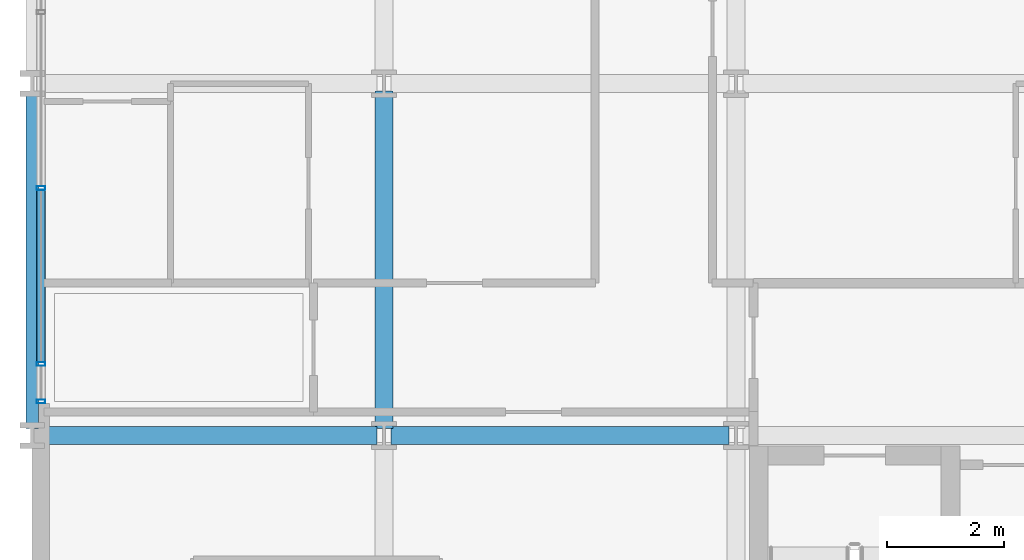
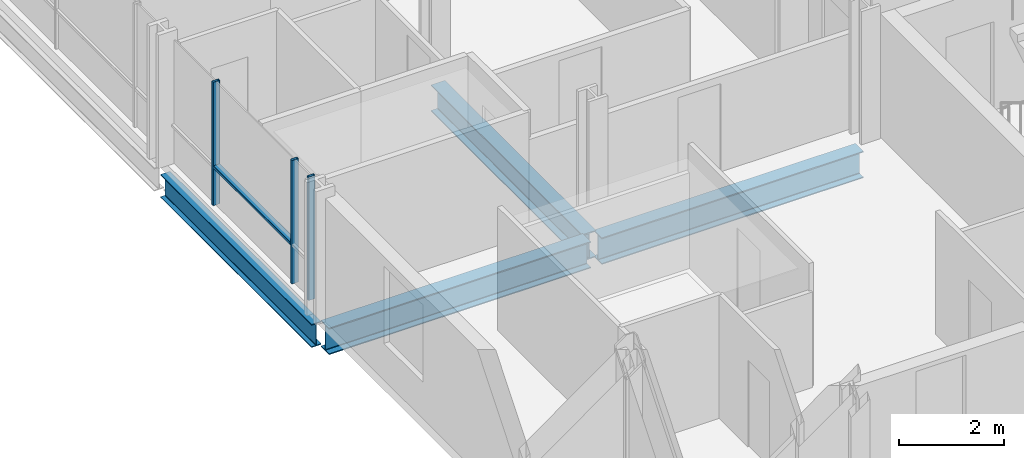
# One storey, part 2 of 41: 4 beams, 4 members, 1 element without a shape of its own.
"""IFC4 building model written with IfcOpenShell, lengths in metres."""

from ifc_helpers import new_model, si_unit, direction, frame, origin, origin_2d, place, context, subcontext, project, spatial, hollow_rectangle, i_section, extrude, material, layer, layer_set, material_profile, profile_set, type_object, element, aggregate, save


model = new_model("IFC4")

# Units and contexts
model_context = context("Model", 3, precision=1e-05, world=origin(), true_north=direction((0.0, 1.0)))
body_context = subcontext(model_context, "Body", "Model", "MODEL_VIEW")
ifc_project = project(units=[si_unit("LENGTHUNIT", "METRE"), si_unit("AREAUNIT", "SQUARE_METRE"), si_unit("VOLUMEUNIT", "CUBIC_METRE"), si_unit("PLANEANGLEUNIT", "RADIAN"), si_unit("MASSUNIT", "GRAM", prefix="KILO")], contexts=[model_context])

# Site, building, storey
site_placement = place(None, origin())
site = spatial("IfcSite", under=ifc_project, at=site_placement, CompositionType="ELEMENT")
building_placement = place(site_placement, origin())
building = spatial("IfcBuilding", under=site, at=building_placement, Name="Brevholm Reach", CompositionType="ELEMENT")
storey_placement = place(building_placement, frame((0.0, 0.0, 49.699951171875)))
storey = spatial("IfcBuildingStorey", under=building, at=storey_placement, Name="L13", CompositionType="ELEMENT", Elevation=49.699951171875)

# Beams
ifc_material_1 = material(Name="Structural Steel S355J2", Category="steel")
ifc_material_profile_1 = material_profile(ifc_material_1, i_section(OverallWidth=0.210693359375, OverallDepth=0.53955078125, WebThickness=0.01171875, FlangeThickness=0.018798828125, FilletRadius=0.0126953125, at=origin_2d()), Name="UKB 533x210x109")
ifc_profile_set_1 = profile_set([ifc_material_profile_1], Name="Structural Steel S355J2")
beam_type_1 = type_object("IfcBeamType", Name="BM-SP539", PredefinedType="SPANDREL", material=ifc_profile_set_1)
beam_placement = place(storey_placement, frame((0.0, 10.1201171875, -0.499755859375), z_axis=(0.0, 1.0, 0.0), x_axis=(-1.0, 0.0, 0.0)))
element("IfcBeam", 1, at=beam_placement, inside=storey, type_object=beam_type_1, Name="L13 SP-01B Framing Beam", PredefinedType="SPANDREL", context=body_context, shape_type="SweptSolid", body=[
    extrude(i_section(OverallWidth=0.210693359375, OverallDepth=0.53955078125, WebThickness=0.01171875, FlangeThickness=0.018798828125, FilletRadius=0.0126953125, at=origin_2d()), origin(), (0.0, 0.0, 1.0), 5.759765625),
])
ifc_material_2 = material(Name="Structural Steel S355J2", Category="steel")
ifc_material_profile_2 = material_profile(ifc_material_2, i_section(OverallWidth=0.30712890625, OverallDepth=0.6201171875, WebThickness=0.01416015625, FlangeThickness=0.023681640625, FilletRadius=0.0166015625, at=origin_2d()), Name="UKB 610x305x179")
ifc_profile_set_2 = profile_set([ifc_material_profile_2], Name="Structural Steel S355J2")
beam_type_2 = type_object("IfcBeamType", Name="BM-UKB610H", PredefinedType="USERDEFINED", material=ifc_profile_set_2)
for number, where, z_axis, x_axis, name in (
    (2, (0.1201171875, 10.0, -0.5400390625), (1.0, 0.0, 0.0), (0.0, 1.0, 0.0), "L13 G-06 Framing Beam"),
    (3, (6.1201171875, 10.0, -0.5400390625), (1.0, 0.0, 0.0), (0.0, 1.0, 0.0), "L13 G-06 Framing Beam"),
    (4, (6.0, 10.1201171875, -0.5400390625), (0.0, 1.0, 0.0), (-1.0, 0.0, 0.0), "L13 G-06 Framing Beam"),
):
    element("IfcBeam", number, at=place(storey_placement, frame(where, z_axis=z_axis, x_axis=x_axis)), inside=storey, type_object=beam_type_2, Name=name, ObjectType="GIRDER", PredefinedType="USERDEFINED", context=body_context, shape_type="SweptSolid", body=[
        extrude(i_section(OverallWidth=0.30712890625, OverallDepth=0.6201171875, WebThickness=0.01416015625, FlangeThickness=0.023681640625, FilletRadius=0.0166015625, at=origin_2d()), origin(), (0.0, 0.0, 1.0), 5.759765625),
    ])

# Curtain wall, members
ifc_material_3 = material(Name="Dark Anodised Aluminium 6063-T6 and Solar-Control Glass", Category="aluminium")
ifc_layer = layer(ifc_material_3, 0.14990234375)
ifc_layer_set = layer_set([ifc_layer], Name="Dark Anodised Aluminium 6063-T6 and Solar-Control Glass")
curtain_wall_type = type_object("IfcCurtainWallType", Name="CW-01", PredefinedType="NOTDEFINED", material=ifc_layer_set)
curtain_wall_placement = place(storey_placement, origin())
curtain_wall = element("IfcCurtainWall", 5, at=curtain_wall_placement, inside=storey, type_object=curtain_wall_type, Name="L13 Curtain Wall CW-01", PredefinedType="NOTDEFINED")
ifc_material_4 = material(Name="Dark Anodised Aluminium 6063-T6", Category="aluminium")
ifc_material_profile_3 = material_profile(ifc_material_4, hollow_rectangle(XDim=0.06494140625, YDim=0.14990234375, WallThickness=0.0048828125, InnerFilletRadius=0.0048828125, OuterFilletRadius=0.010009765625, at=origin_2d()), Name="RHS 150x65x5")
ifc_profile_set_3 = profile_set([ifc_material_profile_3], Name="Dark Anodised Aluminium 6063-T6")
member_type_1 = type_object("IfcMemberType", Name="CWM-150", PredefinedType="MULLION", material=ifc_profile_set_3)
member_1_placement = place(storey_placement, frame((0.14990234375, 14.219970703125, 0.0), z_axis=(0.0, 0.0, 1.0), x_axis=(0.0, -1.0, 0.0)))
member_1 = element("IfcMember", 6, at=member_1_placement, type_object=member_type_1, Name="CM-150 Mullion 4", PredefinedType="MULLION", context=body_context, shape_type="SweptSolid", body=[
    extrude(hollow_rectangle(XDim=0.06494140625, YDim=0.14990234375, WallThickness=0.0048828125, InnerFilletRadius=0.0048828125, OuterFilletRadius=0.010009765625, at=origin_2d()), origin(), (0.0, 0.0, 1.0), 2.8701171875),
])
member_2_placement = place(storey_placement, frame((0.14990234375, 11.219970703125, 0.0), z_axis=(0.0, 0.0, 1.0), x_axis=(0.0, -1.0, 0.0)))
member_2 = element("IfcMember", 7, at=member_2_placement, type_object=member_type_1, Name="CM-150 Mullion 5", PredefinedType="MULLION", context=body_context, shape_type="SweptSolid", body=[
    extrude(hollow_rectangle(XDim=0.06494140625, YDim=0.14990234375, WallThickness=0.0048828125, InnerFilletRadius=0.0048828125, OuterFilletRadius=0.010009765625, at=origin_2d()), origin(), (0.0, 0.0, 1.0), 2.8701171875),
])
member_3_placement = place(storey_placement, frame((0.14990234375, 10.58251953125, 0.0), z_axis=(0.0, 0.0, 1.0), x_axis=(0.0, -1.0, 0.0)))
member_3 = element("IfcMember", 8, at=member_3_placement, type_object=member_type_1, Name="CM-150 Mullion 6", PredefinedType="MULLION", context=body_context, shape_type="SweptSolid", body=[
    extrude(hollow_rectangle(XDim=0.06494140625, YDim=0.14990234375, WallThickness=0.0048828125, InnerFilletRadius=0.0048828125, OuterFilletRadius=0.010009765625, at=origin_2d()), origin(), (0.0, 0.0, 1.0), 2.8701171875),
])
ifc_material_5 = material(Name="Dark Anodised Aluminium 6063-T6", Category="aluminium")
ifc_material_profile_4 = material_profile(ifc_material_5, hollow_rectangle(XDim=0.06494140625, YDim=0.14990234375, WallThickness=0.0048828125, InnerFilletRadius=0.0048828125, OuterFilletRadius=0.010009765625, at=origin_2d()), Name="RHS 150x65x5")
ifc_profile_set_4 = profile_set([ifc_material_profile_4], Name="Dark Anodised Aluminium 6063-T6")
member_type_2 = type_object("IfcMemberType", Name="CWT-150", PredefinedType="NOTDEFINED", material=ifc_profile_set_4)
member_4_placement = place(storey_placement, frame((0.14990234375, 14.1875, 0.900146484375), z_axis=(0.0, -1.0, 0.0), x_axis=(0.0, 0.0, 1.0)))
member_4 = element("IfcMember", 9, at=member_4_placement, type_object=member_type_2, Name="CT-150 Transom 4.1", ObjectType="TRANSOM", PredefinedType="USERDEFINED", context=body_context, shape_type="SweptSolid", body=[
    extrude(hollow_rectangle(XDim=0.06494140625, YDim=0.14990234375, WallThickness=0.0048828125, InnerFilletRadius=0.0048828125, OuterFilletRadius=0.010009765625, at=origin_2d()), origin(), (0.0, 0.0, 1.0), 2.93505859375),
])
aggregate(curtain_wall, [member_1, member_2, member_3, member_4])

save(model, "model.ifc")
